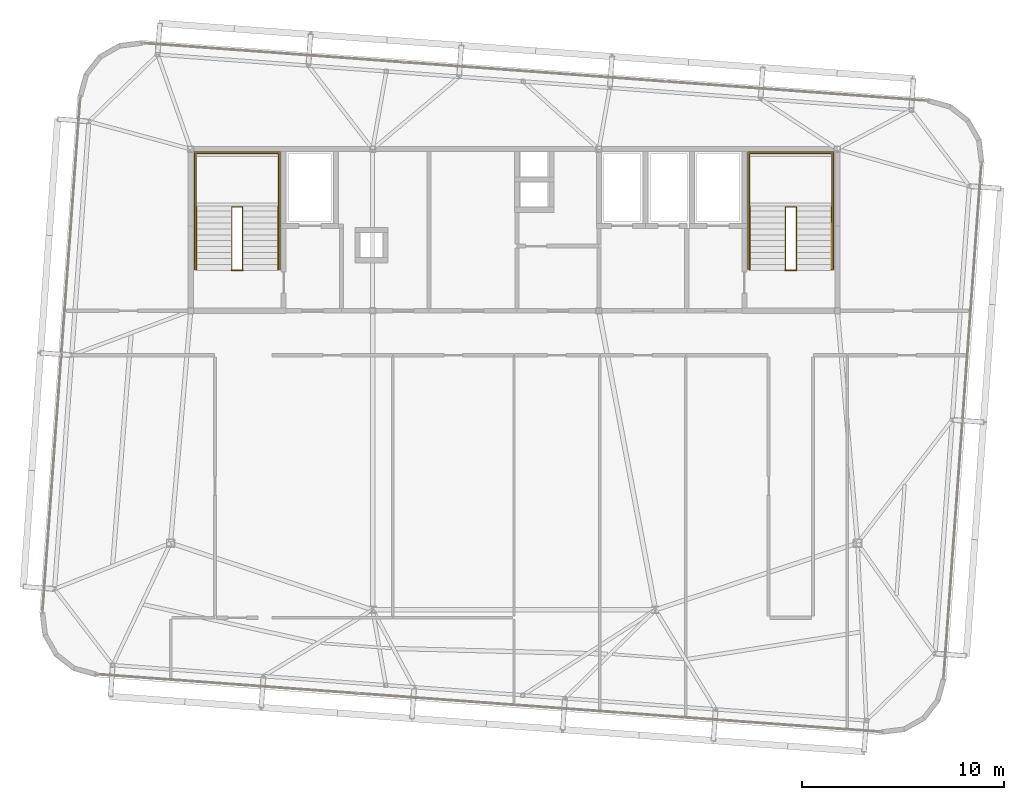
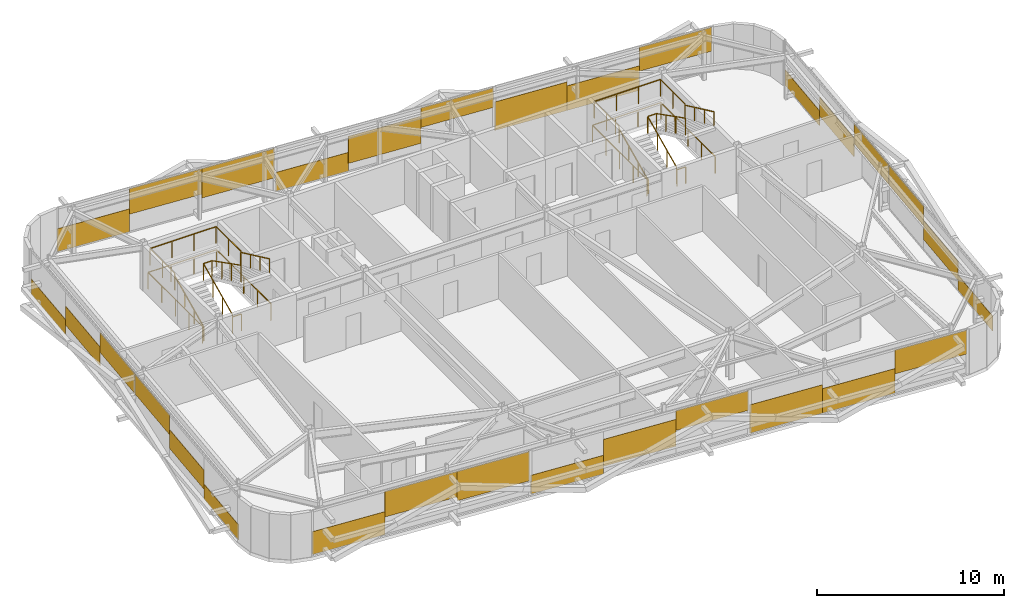
# One storey, part 34 of 34: 30 coverings, 12 railings.
"""IFC4 building model written with IfcOpenShell, lengths in metres."""

from ifc_helpers import new_model, si_unit, direction, frame, origin, origin_2d, place, context, subcontext, project, spatial, rectangle, extrude, source, transform, mapped, material, layer, layer_set, type_object, element, save


model = new_model("IFC4")

# Units and contexts
model_context = context("Model", 3, precision=1e-05, world=origin(), true_north=direction((0.0, 1.0)))
body_context = subcontext(model_context, "Body", "Model", "MODEL_VIEW")
ifc_project = project(units=[si_unit("LENGTHUNIT", "METRE"), si_unit("AREAUNIT", "SQUARE_METRE"), si_unit("VOLUMEUNIT", "CUBIC_METRE"), si_unit("PLANEANGLEUNIT", "RADIAN"), si_unit("MASSUNIT", "GRAM", prefix="KILO")], contexts=[model_context])

# Site, building, storey
site_placement = place(None, origin())
site = spatial("IfcSite", under=ifc_project, at=site_placement, CompositionType="ELEMENT")
building_placement = place(site_placement, origin())
building = spatial("IfcBuilding", under=site, at=building_placement, Name="Taldren Reach Tower", CompositionType="ELEMENT")
storey_placement = place(building_placement, frame((0.0, 0.0, 242.89990234375)))
storey = spatial("IfcBuildingStorey", under=building, at=storey_placement, Name="L74", CompositionType="ELEMENT", Elevation=242.89990234375)

# Railings
ifc_material_1 = material(Name="Steel Gr 350 (C350L0)", Category="steel")
ifc_layer_1 = layer(ifc_material_1, 0.050048828125)
ifc_layer_set_1 = layer_set([ifc_layer_1], Name="Steel Gr 350 (C350L0)")
railing_type_1 = type_object("IfcRailingType", Name="RL-STAIR-GR", PredefinedType="GUARDRAIL", material=ifc_layer_set_1)
railing_1_placement = place(storey_placement, frame((19.260009765625, 29.135009765625, 1.5751953125)))
element("IfcRailing", 1, at=railing_1_placement, inside=storey, type_object=railing_type_1, Name="Stair half-landing perimeter guard ST1-L74", PredefinedType="GUARDRAIL", context=body_context, shape_type="SweptSolid", body=[
    extrude(rectangle(XDim=0.047852, YDim=0.047852, at=origin_2d()), frame((0.0, 0.0, 1.09619140625), z_axis=(0.0, 1.0, 0.0), x_axis=(-1.0, 0.0, 0.0)), (0.0, 0.0, 1.0), 2.64501953125),
    extrude(rectangle(XDim=0.047852, YDim=0.047852, at=origin_2d()), frame((0.0, 2.64501953125, 1.09619140625), z_axis=(1.0, 0.0, 0.0), x_axis=(0.0, 1.0, 0.0)), (0.0, 0.0, 1.0), 4.080078125),
    extrude(rectangle(XDim=0.047852, YDim=0.047852, at=origin_2d()), frame((4.080078125, 2.64501953125, 1.09619140625), z_axis=(0.0, -1.0, 0.0), x_axis=(1.0, 0.0, 0.0)), (0.0, 0.0, 1.0), 2.64501953125),
    extrude(rectangle(XDim=0.041992, YDim=0.041992, at=origin_2d()), origin(), (0.0, 0.0, 1.0), 1.072021484375),
    extrude(rectangle(XDim=0.041992, YDim=0.041992, at=origin_2d()), frame((0.0, 1.322509765625, 0.0)), (0.0, 0.0, 1.0), 1.072021484375),
    extrude(rectangle(XDim=0.041992, YDim=0.041992, at=origin_2d()), frame((0.0, 2.64501953125, 0.0)), (0.0, 0.0, 1.0), 1.072021484375),
    extrude(rectangle(XDim=0.041992, YDim=0.041992, at=origin_2d()), frame((1.360107421875, 2.64501953125, 0.0)), (0.0, 0.0, 1.0), 1.072021484375),
    extrude(rectangle(XDim=0.041992, YDim=0.041992, at=origin_2d()), frame((2.719970703125, 2.64501953125, 0.0)), (0.0, 0.0, 1.0), 1.072021484375),
    extrude(rectangle(XDim=0.041992, YDim=0.041992, at=origin_2d()), frame((4.080078125, 2.64501953125, 0.0)), (0.0, 0.0, 1.0), 1.072021484375),
    extrude(rectangle(XDim=0.041992, YDim=0.041992, at=origin_2d()), frame((4.080078125, 1.322509765625, 0.0)), (0.0, 0.0, 1.0), 1.072021484375),
    extrude(rectangle(XDim=0.041992, YDim=0.041992, at=origin_2d()), frame((4.080078125, 0.0, 0.0)), (0.0, 0.0, 1.0), 1.072021484375),
])
railing_2_placement = place(storey_placement, frame((21.030029296875, 26.050048828125, 0.13134765625)))
element("IfcRailing", 2, at=railing_2_placement, inside=storey, type_object=railing_type_1, Name="Stairwell inner guard ST1-L74", PredefinedType="GUARDRAIL", context=body_context, shape_type="SweptSolid", body=[
    extrude(rectangle(XDim=0.047852, YDim=0.047852, at=origin_2d()), frame((0.0, 0.0, 1.09619140625), z_axis=(0.0, 0.905710134349, 0.423897573167), x_axis=(-1.0, 0.0, 0.0)), (0.0, 0.0, 1.0), 3.406005859375),
    extrude(rectangle(XDim=0.047852, YDim=0.047852, at=origin_2d()), frame((0.0, 3.0849609375, 2.5400390625), z_axis=(1.0, 0.0, 0.0), x_axis=(0.0, 1.0, 0.0)), (0.0, 0.0, 1.0), 0.5400390625),
    extrude(rectangle(XDim=0.047852, YDim=0.047852, at=origin_2d()), frame((0.5400390625, 3.0849609375, 2.5400390625), z_axis=(0.0, -0.890645957773, 0.45469745755), x_axis=(1.0, 0.0, 0.0)), (0.0, 0.0, 1.0), 3.463623046875),
    extrude(rectangle(XDim=0.041992, YDim=0.041992, at=origin_2d()), origin(), (0.0, 0.0, 1.0), 1.072021484375),
    extrude(rectangle(XDim=0.041992, YDim=0.041992, at=origin_2d()), frame((0.0, 1.0283203125, 0.481201171875)), (0.0, 0.0, 1.0), 1.072021484375),
    extrude(rectangle(XDim=0.041992, YDim=0.041992, at=origin_2d()), frame((0.0, 2.056640625, 0.962646484375)), (0.0, 0.0, 1.0), 1.072021484375),
    extrude(rectangle(XDim=0.041992, YDim=0.041992, at=origin_2d()), frame((0.0, 3.0849609375, 1.44384765625)), (0.0, 0.0, 1.0), 1.072021484375),
    extrude(rectangle(XDim=0.041992, YDim=0.041992, at=origin_2d()), frame((0.5400390625, 3.0849609375, 1.44384765625)), (0.0, 0.0, 1.0), 1.072021484375),
    extrude(rectangle(XDim=0.041992, YDim=0.041992, at=origin_2d()), frame((0.5400390625, 2.056640625, 1.96875)), (0.0, 0.0, 1.0), 1.072021484375),
    extrude(rectangle(XDim=0.041992, YDim=0.041992, at=origin_2d()), frame((0.5400390625, 1.0283203125, 2.493896484375)), (0.0, 0.0, 1.0), 1.072021484375),
    extrude(rectangle(XDim=0.041992, YDim=0.041992, at=origin_2d()), frame((0.5400390625, 0.0, 3.018798828125)), (0.0, 0.0, 1.0), 1.072021484375),
])
railing_3_placement = place(storey_placement, frame((21.030029296875, 26.010009765625, 0.0)))
element("IfcRailing", 3, at=railing_3_placement, inside=storey, type_object=railing_type_1, Name="Stairwell landing slot guard ST1-L74", PredefinedType="GUARDRAIL", context=body_context, shape_type="SweptSolid", body=[
    extrude(rectangle(XDim=0.047852, YDim=0.047852, at=origin_2d()), frame((0.0, 0.0, 1.09619140625), z_axis=(1.0, 0.0, 0.0), x_axis=(0.0, 1.0, 0.0)), (0.0, 0.0, 1.0), 0.5400390625),
    extrude(rectangle(XDim=0.041992, YDim=0.041992, at=origin_2d()), origin(), (0.0, 0.0, 1.0), 1.072021484375),
    extrude(rectangle(XDim=0.041992, YDim=0.041992, at=origin_2d()), frame((0.5400390625, 0.0, 0.0)), (0.0, 0.0, 1.0), 1.072021484375),
])
railing_4_placement = place(storey_placement, frame((19.18994140625, 26.050048828125, 0.0)))
element("IfcRailing", 4, at=railing_4_placement, inside=storey, type_object=railing_type_1, Name="Stairwell floor opening guard ST1-L74", PredefinedType="GUARDRAIL", context=body_context, shape_type="SweptSolid", body=[
    extrude(rectangle(XDim=0.047852, YDim=0.047852, at=origin_2d()), frame((0.0, 0.0, 1.09619140625), z_axis=(0.0, 1.0, 0.0), x_axis=(-1.0, 0.0, 0.0)), (0.0, 0.0, 1.0), 5.800048828125),
    extrude(rectangle(XDim=0.047852, YDim=0.047852, at=origin_2d()), frame((0.0, 5.800048828125, 1.09619140625), z_axis=(1.0, 0.0, 0.0), x_axis=(0.0, 1.0, 0.0)), (0.0, 0.0, 1.0), 4.219970703125),
    extrude(rectangle(XDim=0.047852, YDim=0.047852, at=origin_2d()), frame((4.219970703125, 5.800048828125, 1.09619140625), z_axis=(0.0, -1.0, 0.0), x_axis=(1.0, 0.0, 0.0)), (0.0, 0.0, 1.0), 5.800048828125),
    extrude(rectangle(XDim=0.041992, YDim=0.041992, at=origin_2d()), origin(), (0.0, 0.0, 1.0), 1.072021484375),
    extrude(rectangle(XDim=0.041992, YDim=0.041992, at=origin_2d()), frame((0.0, 1.449951171875, 0.0)), (0.0, 0.0, 1.0), 1.072021484375),
    extrude(rectangle(XDim=0.041992, YDim=0.041992, at=origin_2d()), frame((0.0, 2.89990234375, 0.0)), (0.0, 0.0, 1.0), 1.072021484375),
    extrude(rectangle(XDim=0.041992, YDim=0.041992, at=origin_2d()), frame((0.0, 4.35009765625, 0.0)), (0.0, 0.0, 1.0), 1.072021484375),
    extrude(rectangle(XDim=0.041992, YDim=0.041992, at=origin_2d()), frame((0.0, 5.800048828125, 0.0)), (0.0, 0.0, 1.0), 1.072021484375),
    extrude(rectangle(XDim=0.041992, YDim=0.041992, at=origin_2d()), frame((1.40673828125, 5.800048828125, 0.0)), (0.0, 0.0, 1.0), 1.072021484375),
    extrude(rectangle(XDim=0.041992, YDim=0.041992, at=origin_2d()), frame((2.813232421875, 5.800048828125, 0.0)), (0.0, 0.0, 1.0), 1.072021484375),
    extrude(rectangle(XDim=0.041992, YDim=0.041992, at=origin_2d()), frame((4.219970703125, 5.800048828125, 0.0)), (0.0, 0.0, 1.0), 1.072021484375),
    extrude(rectangle(XDim=0.041992, YDim=0.041992, at=origin_2d()), frame((4.219970703125, 4.35009765625, 0.0)), (0.0, 0.0, 1.0), 1.072021484375),
    extrude(rectangle(XDim=0.041992, YDim=0.041992, at=origin_2d()), frame((4.219970703125, 2.89990234375, 0.0)), (0.0, 0.0, 1.0), 1.072021484375),
    extrude(rectangle(XDim=0.041992, YDim=0.041992, at=origin_2d()), frame((4.219970703125, 1.449951171875, 0.0)), (0.0, 0.0, 1.0), 1.072021484375),
    extrude(rectangle(XDim=0.041992, YDim=0.041992, at=origin_2d()), frame((4.219970703125, 0.0, 0.0)), (0.0, 0.0, 1.0), 1.072021484375),
])
railing_5_placement = place(storey_placement, frame((46.659912109375, 29.135009765625, 1.5751953125)))
element("IfcRailing", 5, at=railing_5_placement, inside=storey, type_object=railing_type_1, Name="Stair half-landing perimeter guard ST2-L74", PredefinedType="GUARDRAIL", context=body_context, shape_type="SweptSolid", body=[
    extrude(rectangle(XDim=0.047852, YDim=0.047852, at=origin_2d()), frame((0.0, 0.0, 1.09619140625), z_axis=(0.0, 1.0, 0.0), x_axis=(-1.0, 0.0, 0.0)), (0.0, 0.0, 1.0), 2.64501953125),
    extrude(rectangle(XDim=0.047852, YDim=0.047852, at=origin_2d()), frame((0.0, 2.64501953125, 1.09619140625), z_axis=(1.0, 0.0, 0.0), x_axis=(0.0, 1.0, 0.0)), (0.0, 0.0, 1.0), 4.080078125),
    extrude(rectangle(XDim=0.047852, YDim=0.047852, at=origin_2d()), frame((4.080078125, 2.64501953125, 1.09619140625), z_axis=(0.0, -1.0, 0.0), x_axis=(1.0, 0.0, 0.0)), (0.0, 0.0, 1.0), 2.64501953125),
    extrude(rectangle(XDim=0.041992, YDim=0.041992, at=origin_2d()), origin(), (0.0, 0.0, 1.0), 1.072021484375),
    extrude(rectangle(XDim=0.041992, YDim=0.041992, at=origin_2d()), frame((0.0, 1.322509765625, 0.0)), (0.0, 0.0, 1.0), 1.072021484375),
    extrude(rectangle(XDim=0.041992, YDim=0.041992, at=origin_2d()), frame((0.0, 2.64501953125, 0.0)), (0.0, 0.0, 1.0), 1.072021484375),
    extrude(rectangle(XDim=0.041992, YDim=0.041992, at=origin_2d()), frame((1.360107421875, 2.64501953125, 0.0)), (0.0, 0.0, 1.0), 1.072021484375),
    extrude(rectangle(XDim=0.041992, YDim=0.041992, at=origin_2d()), frame((2.719970703125, 2.64501953125, 0.0)), (0.0, 0.0, 1.0), 1.072021484375),
    extrude(rectangle(XDim=0.041992, YDim=0.041992, at=origin_2d()), frame((4.080078125, 2.64501953125, 0.0)), (0.0, 0.0, 1.0), 1.072021484375),
    extrude(rectangle(XDim=0.041992, YDim=0.041992, at=origin_2d()), frame((4.080078125, 1.322509765625, 0.0)), (0.0, 0.0, 1.0), 1.072021484375),
    extrude(rectangle(XDim=0.041992, YDim=0.041992, at=origin_2d()), frame((4.080078125, 0.0, 0.0)), (0.0, 0.0, 1.0), 1.072021484375),
])
railing_6_placement = place(storey_placement, frame((48.429931640625, 26.050048828125, 0.13134765625)))
element("IfcRailing", 6, at=railing_6_placement, inside=storey, type_object=railing_type_1, Name="Stairwell inner guard ST2-L74", PredefinedType="GUARDRAIL", context=body_context, shape_type="SweptSolid", body=[
    extrude(rectangle(XDim=0.047852, YDim=0.047852, at=origin_2d()), frame((0.0, 0.0, 1.09619140625), z_axis=(0.0, 0.905710134349, 0.423897573167), x_axis=(-1.0, 0.0, 0.0)), (0.0, 0.0, 1.0), 3.406005859375),
    extrude(rectangle(XDim=0.047852, YDim=0.047852, at=origin_2d()), frame((0.0, 3.0849609375, 2.5400390625), z_axis=(1.0, 0.0, 0.0), x_axis=(0.0, 1.0, 0.0)), (0.0, 0.0, 1.0), 0.5400390625),
    extrude(rectangle(XDim=0.047852, YDim=0.047852, at=origin_2d()), frame((0.5400390625, 3.0849609375, 2.5400390625), z_axis=(0.0, -0.890645957773, 0.45469745755), x_axis=(1.0, 0.0, 0.0)), (0.0, 0.0, 1.0), 3.463623046875),
    extrude(rectangle(XDim=0.041992, YDim=0.041992, at=origin_2d()), origin(), (0.0, 0.0, 1.0), 1.072021484375),
    extrude(rectangle(XDim=0.041992, YDim=0.041992, at=origin_2d()), frame((0.0, 1.0283203125, 0.481201171875)), (0.0, 0.0, 1.0), 1.072021484375),
    extrude(rectangle(XDim=0.041992, YDim=0.041992, at=origin_2d()), frame((0.0, 2.056640625, 0.962646484375)), (0.0, 0.0, 1.0), 1.072021484375),
    extrude(rectangle(XDim=0.041992, YDim=0.041992, at=origin_2d()), frame((0.0, 3.0849609375, 1.44384765625)), (0.0, 0.0, 1.0), 1.072021484375),
    extrude(rectangle(XDim=0.041992, YDim=0.041992, at=origin_2d()), frame((0.5400390625, 3.0849609375, 1.44384765625)), (0.0, 0.0, 1.0), 1.072021484375),
    extrude(rectangle(XDim=0.041992, YDim=0.041992, at=origin_2d()), frame((0.5400390625, 2.056640625, 1.96875)), (0.0, 0.0, 1.0), 1.072021484375),
    extrude(rectangle(XDim=0.041992, YDim=0.041992, at=origin_2d()), frame((0.5400390625, 1.0283203125, 2.493896484375)), (0.0, 0.0, 1.0), 1.072021484375),
    extrude(rectangle(XDim=0.041992, YDim=0.041992, at=origin_2d()), frame((0.5400390625, 0.0, 3.018798828125)), (0.0, 0.0, 1.0), 1.072021484375),
])
railing_7_placement = place(storey_placement, frame((48.429931640625, 26.010009765625, 0.0)))
element("IfcRailing", 7, at=railing_7_placement, inside=storey, type_object=railing_type_1, Name="Stairwell landing slot guard ST2-L74", PredefinedType="GUARDRAIL", context=body_context, shape_type="SweptSolid", body=[
    extrude(rectangle(XDim=0.047852, YDim=0.047852, at=origin_2d()), frame((0.0, 0.0, 1.09619140625), z_axis=(1.0, 0.0, 0.0), x_axis=(0.0, 1.0, 0.0)), (0.0, 0.0, 1.0), 0.5400390625),
    extrude(rectangle(XDim=0.041992, YDim=0.041992, at=origin_2d()), origin(), (0.0, 0.0, 1.0), 1.072021484375),
    extrude(rectangle(XDim=0.041992, YDim=0.041992, at=origin_2d()), frame((0.5400390625, 0.0, 0.0)), (0.0, 0.0, 1.0), 1.072021484375),
])
railing_8_placement = place(storey_placement, frame((46.590087890625, 26.050048828125, 0.0)))
element("IfcRailing", 8, at=railing_8_placement, inside=storey, type_object=railing_type_1, Name="Stairwell floor opening guard ST2-L74", PredefinedType="GUARDRAIL", context=body_context, shape_type="SweptSolid", body=[
    extrude(rectangle(XDim=0.047852, YDim=0.047852, at=origin_2d()), frame((0.0, 0.0, 1.09619140625), z_axis=(0.0, 1.0, 0.0), x_axis=(-1.0, 0.0, 0.0)), (0.0, 0.0, 1.0), 5.800048828125),
    extrude(rectangle(XDim=0.047852, YDim=0.047852, at=origin_2d()), frame((0.0, 5.800048828125, 1.09619140625), z_axis=(1.0, 0.0, 0.0), x_axis=(0.0, 1.0, 0.0)), (0.0, 0.0, 1.0), 4.219970703125),
    extrude(rectangle(XDim=0.047852, YDim=0.047852, at=origin_2d()), frame((4.219970703125, 5.800048828125, 1.09619140625), z_axis=(0.0, -1.0, 0.0), x_axis=(1.0, 0.0, 0.0)), (0.0, 0.0, 1.0), 5.800048828125),
    extrude(rectangle(XDim=0.041992, YDim=0.041992, at=origin_2d()), origin(), (0.0, 0.0, 1.0), 1.072021484375),
    extrude(rectangle(XDim=0.041992, YDim=0.041992, at=origin_2d()), frame((0.0, 1.449951171875, 0.0)), (0.0, 0.0, 1.0), 1.072021484375),
    extrude(rectangle(XDim=0.041992, YDim=0.041992, at=origin_2d()), frame((0.0, 2.89990234375, 0.0)), (0.0, 0.0, 1.0), 1.072021484375),
    extrude(rectangle(XDim=0.041992, YDim=0.041992, at=origin_2d()), frame((0.0, 4.35009765625, 0.0)), (0.0, 0.0, 1.0), 1.072021484375),
    extrude(rectangle(XDim=0.041992, YDim=0.041992, at=origin_2d()), frame((0.0, 5.800048828125, 0.0)), (0.0, 0.0, 1.0), 1.072021484375),
    extrude(rectangle(XDim=0.041992, YDim=0.041992, at=origin_2d()), frame((1.40673828125, 5.800048828125, 0.0)), (0.0, 0.0, 1.0), 1.072021484375),
    extrude(rectangle(XDim=0.041992, YDim=0.041992, at=origin_2d()), frame((2.813232421875, 5.800048828125, 0.0)), (0.0, 0.0, 1.0), 1.072021484375),
    extrude(rectangle(XDim=0.041992, YDim=0.041992, at=origin_2d()), frame((4.219970703125, 5.800048828125, 0.0)), (0.0, 0.0, 1.0), 1.072021484375),
    extrude(rectangle(XDim=0.041992, YDim=0.041992, at=origin_2d()), frame((4.219970703125, 4.35009765625, 0.0)), (0.0, 0.0, 1.0), 1.072021484375),
    extrude(rectangle(XDim=0.041992, YDim=0.041992, at=origin_2d()), frame((4.219970703125, 2.89990234375, 0.0)), (0.0, 0.0, 1.0), 1.072021484375),
    extrude(rectangle(XDim=0.041992, YDim=0.041992, at=origin_2d()), frame((4.219970703125, 1.449951171875, 0.0)), (0.0, 0.0, 1.0), 1.072021484375),
    extrude(rectangle(XDim=0.041992, YDim=0.041992, at=origin_2d()), frame((4.219970703125, 0.0, 0.0)), (0.0, 0.0, 1.0), 1.072021484375),
])
ifc_material_2 = material(Name="Stainless Steel Gr 316", Category="steel")
ifc_layer_2 = layer(ifc_material_2, 0.048095703125)
ifc_layer_set_2 = layer_set([ifc_layer_2], Name="Stainless Steel Gr 316")
railing_type_2 = type_object("IfcRailingType", Name="RL-STAIR-HR", PredefinedType="HANDRAIL", material=ifc_layer_set_2)
railing_9_placement = place(storey_placement, frame((19.27001953125, 26.050048828125, 0.13134765625)))
element("IfcRailing", 9, at=railing_9_placement, inside=storey, type_object=railing_type_2, Name="Stair flight handrail ST1-L74-1", PredefinedType="HANDRAIL", context=body_context, shape_type="SweptSolid", body=[
    extrude(rectangle(XDim=0.047852, YDim=0.047852, at=origin_2d()), frame((0.0, 0.0, 0.89599609375), z_axis=(0.0, 0.905710134349, 0.423897573167), x_axis=(-1.0, 0.0, 0.0)), (0.0, 0.0, 1.0), 3.406005859375),
    extrude(rectangle(XDim=0.041992, YDim=0.041992, at=origin_2d()), origin(), (0.0, 0.0, 1.0), 0.871826171875),
    extrude(rectangle(XDim=0.041992, YDim=0.041992, at=origin_2d()), frame((0.0, 1.0283203125, 0.481201171875)), (0.0, 0.0, 1.0), 0.871826171875),
    extrude(rectangle(XDim=0.041992, YDim=0.041992, at=origin_2d()), frame((0.0, 2.056640625, 0.962646484375)), (0.0, 0.0, 1.0), 0.871826171875),
    extrude(rectangle(XDim=0.041992, YDim=0.041992, at=origin_2d()), frame((0.0, 3.0849609375, 1.44384765625)), (0.0, 0.0, 1.0), 0.871826171875),
])
railing_10_placement = place(storey_placement, frame((23.330078125, 29.135009765625, 1.706298828125)))
element("IfcRailing", 10, at=railing_10_placement, inside=storey, type_object=railing_type_2, Name="Stair flight handrail ST1-L74-2", PredefinedType="HANDRAIL", context=body_context, shape_type="SweptSolid", body=[
    extrude(rectangle(XDim=0.047852, YDim=0.047852, at=origin_2d()), frame((0.0, 0.0, 0.89599609375), z_axis=(0.0, -0.905710134349, 0.423897573167), x_axis=(1.0, 0.0, 0.0)), (0.0, 0.0, 1.0), 3.406005859375),
    extrude(rectangle(XDim=0.041992, YDim=0.041992, at=origin_2d()), origin(), (0.0, 0.0, 1.0), 0.871826171875),
    extrude(rectangle(XDim=0.041992, YDim=0.041992, at=origin_2d()), frame((0.0, -1.0283203125, 0.481201171875)), (0.0, 0.0, 1.0), 0.871826171875),
    extrude(rectangle(XDim=0.041992, YDim=0.041992, at=origin_2d()), frame((0.0, -2.056640625, 0.962646484375)), (0.0, 0.0, 1.0), 0.871826171875),
    extrude(rectangle(XDim=0.041992, YDim=0.041992, at=origin_2d()), frame((0.0, -3.0849609375, 1.44384765625)), (0.0, 0.0, 1.0), 0.871826171875),
])
railing_11_placement = place(storey_placement, frame((46.669921875, 26.050048828125, 0.13134765625)))
element("IfcRailing", 11, at=railing_11_placement, inside=storey, type_object=railing_type_2, Name="Stair flight handrail ST2-L74-1", PredefinedType="HANDRAIL", context=body_context, shape_type="SweptSolid", body=[
    extrude(rectangle(XDim=0.047852, YDim=0.047852, at=origin_2d()), frame((0.0, 0.0, 0.89599609375), z_axis=(0.0, 0.905710134349, 0.423897573167), x_axis=(-1.0, 0.0, 0.0)), (0.0, 0.0, 1.0), 3.406005859375),
    extrude(rectangle(XDim=0.041992, YDim=0.041992, at=origin_2d()), origin(), (0.0, 0.0, 1.0), 0.871826171875),
    extrude(rectangle(XDim=0.041992, YDim=0.041992, at=origin_2d()), frame((0.0, 1.0283203125, 0.481201171875)), (0.0, 0.0, 1.0), 0.871826171875),
    extrude(rectangle(XDim=0.041992, YDim=0.041992, at=origin_2d()), frame((0.0, 2.056640625, 0.962646484375)), (0.0, 0.0, 1.0), 0.871826171875),
    extrude(rectangle(XDim=0.041992, YDim=0.041992, at=origin_2d()), frame((0.0, 3.0849609375, 1.44384765625)), (0.0, 0.0, 1.0), 0.871826171875),
])
railing_12_placement = place(storey_placement, frame((50.72998046875, 29.135009765625, 1.706298828125)))
element("IfcRailing", 12, at=railing_12_placement, inside=storey, type_object=railing_type_2, Name="Stair flight handrail ST2-L74-2", PredefinedType="HANDRAIL", context=body_context, shape_type="SweptSolid", body=[
    extrude(rectangle(XDim=0.047852, YDim=0.047852, at=origin_2d()), frame((0.0, 0.0, 0.89599609375), z_axis=(0.0, -0.905710134349, 0.423897573167), x_axis=(1.0, 0.0, 0.0)), (0.0, 0.0, 1.0), 3.406005859375),
    extrude(rectangle(XDim=0.041992, YDim=0.041992, at=origin_2d()), origin(), (0.0, 0.0, 1.0), 0.871826171875),
    extrude(rectangle(XDim=0.041992, YDim=0.041992, at=origin_2d()), frame((0.0, -1.0283203125, 0.481201171875)), (0.0, 0.0, 1.0), 0.871826171875),
    extrude(rectangle(XDim=0.041992, YDim=0.041992, at=origin_2d()), frame((0.0, -2.056640625, 0.962646484375)), (0.0, 0.0, 1.0), 0.871826171875),
    extrude(rectangle(XDim=0.041992, YDim=0.041992, at=origin_2d()), frame((0.0, -3.0849609375, 1.44384765625)), (0.0, 0.0, 1.0), 0.871826171875),
])

# Coverings
ifc_material_3 = material(Name="Pale Champagne Fluoropolymer Aluminium Spandrel Cladding", Category="aluminium")
ifc_layer_3 = layer(ifc_material_3, 0.0439453125)
ifc_layer_set_3 = layer_set([ifc_layer_3], Name="Pale Champagne Fluoropolymer Aluminium Spandrel Cladding")
covering_type = type_object("IfcCoveringType", Name="CV-CLAD-044", PredefinedType="CLADDING", material=ifc_layer_set_3)
shared_shape_1 = source(origin(), body_context, "Body", "SweptSolid", [
    extrude(rectangle(XDim=4.2958984375, YDim=0.0439453125, at=origin_2d()), origin(), (0.0, 0.0, 1.0), 1.495849609375),
])
for number, where, z_axis, x_axis, name in (
    (13, (16.5224609375, 5.847412109375, 0.06005859375), (0.0, 0.0, 1.0), (0.997314476006, -0.073238213716, 0.0), "Diagrid closure cladding strip CW-6 panel 1.1 1"),
    (14, (18.816162109375, 37.083251953125, 0.06005859375), (0.0, 0.0, 1.0), (-0.997314476006, 0.073238213716, 0.0), "Diagrid closure cladding strip CW-6 panel 3.1 3"),
):
    element("IfcCovering", number, at=place(storey_placement, frame(where, z_axis=z_axis, x_axis=x_axis)), inside=storey, type_object=covering_type, Name=name, PredefinedType="CLADDING", context=body_context, shape_type="MappedRepresentation", body=[
        mapped(shared_shape_1, transform((0.0, 0.0, 0.0), scale=1.0)),
    ])
shared_shape_2 = source(origin(), body_context, "Body", "SweptSolid", [
    extrude(rectangle(XDim=4.2958984375, YDim=0.0439453125, at=origin_2d()), origin(), (0.0, 0.0, 1.0), 1.665771484375),
])
for number, where, z_axis, x_axis, name in (
    (15, (20.806640625, 5.53271484375, 1.2041015625), (0.0, 0.0, 1.0), (0.997314476006, -0.073238213716, 0.0), "Diagrid closure cladding strip CW-6 panel 1.1 2"),
    (16, (23.1005859375, 36.7685546875, 1.2041015625), (0.0, 0.0, 1.0), (-0.997314476006, 0.073238213716, 0.0), "Diagrid closure cladding strip CW-6 panel 3.1 2"),
):
    element("IfcCovering", number, at=place(storey_placement, frame(where, z_axis=z_axis, x_axis=x_axis)), inside=storey, type_object=covering_type, Name=name, PredefinedType="CLADDING", context=body_context, shape_type="MappedRepresentation", body=[
        mapped(shared_shape_2, transform((0.0, 0.0, 0.0), scale=1.0)),
    ])
shared_shape_3 = source(origin(), body_context, "Body", "SweptSolid", [
    extrude(rectangle(XDim=4.2958984375, YDim=0.0439453125, at=origin_2d()), origin(), (0.0, 0.0, 1.0), 1.9169921875),
])
for number, where, z_axis, x_axis, name in (
    (17, (25.091064453125, 5.21826171875, 0.953125), (0.0, 0.0, 1.0), (0.997314476006, -0.073238213716, 0.0), "Diagrid closure cladding strip CW-6 panel 1.1 3"),
    (18, (27.384765625, 36.4541015625, 0.953125), (0.0, 0.0, 1.0), (-0.997314476006, 0.073238213716, 0.0), "Diagrid closure cladding strip CW-6 panel 3.1 1"),
):
    element("IfcCovering", number, at=place(storey_placement, frame(where, z_axis=z_axis, x_axis=x_axis)), inside=storey, type_object=covering_type, Name=name, PredefinedType="CLADDING", context=body_context, shape_type="MappedRepresentation", body=[
        mapped(shared_shape_3, transform((0.0, 0.0, 0.0), scale=1.0)),
    ])
shared_shape_4 = source(origin(), body_context, "Body", "SweptSolid", [
    extrude(rectangle(XDim=4.308349609375, YDim=0.0439453125, at=origin_2d()), origin(), (0.0, 0.0, 1.0), 1.22021484375),
])
for number, where, z_axis, x_axis, name in (
    (19, (29.456298828125, 4.897705078125, 0.06005859375), (0.0, 0.0, 1.0), (0.997314476006, -0.073238213716, 0.0), "Diagrid closure cladding strip CW-6 panel 2.1 1"),
    (20, (31.750244140625, 36.133544921875, 0.06005859375), (0.0, 0.0, 1.0), (-0.997314476006, 0.073238213716, 0.0), "Diagrid closure cladding strip CW-6 panel 2.1 3"),
):
    element("IfcCovering", number, at=place(storey_placement, frame(where, z_axis=z_axis, x_axis=x_axis)), inside=storey, type_object=covering_type, Name=name, PredefinedType="CLADDING", context=body_context, shape_type="MappedRepresentation", body=[
        mapped(shared_shape_4, transform((0.0, 0.0, 0.0), scale=1.0)),
    ])
shared_shape_5 = source(origin(), body_context, "Body", "SweptSolid", [
    extrude(rectangle(XDim=4.308349609375, YDim=0.0439453125, at=origin_2d()), origin(), (0.0, 0.0, 1.0), 1.75146484375),
])
for number, where, z_axis, x_axis, name in (
    (21, (33.753173828125, 4.58203125, 0.559326171875), (0.0, 0.0, 1.0), (0.997314476006, -0.073238213716, 0.0), "Diagrid closure cladding strip CW-6 panel 2.1 2"),
    (22, (36.046875, 35.81787109375, 0.559326171875), (0.0, 0.0, 1.0), (-0.997314476006, 0.073238213716, 0.0), "Diagrid closure cladding strip CW-6 panel 2.1 2"),
):
    element("IfcCovering", number, at=place(storey_placement, frame(where, z_axis=z_axis, x_axis=x_axis)), inside=storey, type_object=covering_type, Name=name, PredefinedType="CLADDING", context=body_context, shape_type="MappedRepresentation", body=[
        mapped(shared_shape_5, transform((0.0, 0.0, 0.0), scale=1.0)),
    ])
shared_shape_6 = source(origin(), body_context, "Body", "SweptSolid", [
    extrude(rectangle(XDim=4.308349609375, YDim=0.0439453125, at=origin_2d()), origin(), (0.0, 0.0, 1.0), 1.2802734375),
])
for number, where, z_axis, x_axis, name in (
    (23, (38.0498046875, 4.2666015625, 1.58984375), (0.0, 0.0, 1.0), (0.997314476006, -0.073238213716, 0.0), "Diagrid closure cladding strip CW-6 panel 2.1 3"),
    (24, (40.34375, 35.50244140625, 1.58984375), (0.0, 0.0, 1.0), (-0.997314476006, 0.073238213716, 0.0), "Diagrid closure cladding strip CW-6 panel 2.1 1"),
):
    element("IfcCovering", number, at=place(storey_placement, frame(where, z_axis=z_axis, x_axis=x_axis)), inside=storey, type_object=covering_type, Name=name, PredefinedType="CLADDING", context=body_context, shape_type="MappedRepresentation", body=[
        mapped(shared_shape_6, transform((0.0, 0.0, 0.0), scale=1.0)),
    ])
shared_shape_7 = source(origin(), body_context, "Body", "SweptSolid", [
    extrude(rectangle(XDim=4.2958984375, YDim=0.0439453125, at=origin_2d()), origin(), (0.0, 0.0, 1.0), 1.85693359375),
])
for number, where, z_axis, x_axis, name in (
    (25, (42.415283203125, 3.946044921875, 0.06005859375), (0.0, 0.0, 1.0), (0.997314476006, -0.073238213716, 0.0), "Diagrid closure cladding strip CW-6 panel 3.1 1"),
    (26, (44.708984375, 35.181884765625, 0.06005859375), (0.0, 0.0, 1.0), (-0.997314476006, 0.073238213716, 0.0), "Diagrid closure cladding strip CW-6 panel 1.1 3"),
):
    element("IfcCovering", number, at=place(storey_placement, frame(where, z_axis=z_axis, x_axis=x_axis)), inside=storey, type_object=covering_type, Name=name, PredefinedType="CLADDING", context=body_context, shape_type="MappedRepresentation", body=[
        mapped(shared_shape_7, transform((0.0, 0.0, 0.0), scale=1.0)),
    ])
shared_shape_8 = source(origin(), body_context, "Body", "SweptSolid", [
    extrude(rectangle(XDim=4.2958984375, YDim=0.0439453125, at=origin_2d()), origin(), (0.0, 0.0, 1.0), 1.605712890625),
])
for number, where, z_axis, x_axis, name in (
    (27, (46.699462890625, 3.63134765625, 0.06005859375), (0.0, 0.0, 1.0), (0.997314476006, -0.073238213716, 0.0), "Diagrid closure cladding strip CW-6 panel 3.1 2"),
    (28, (48.993408203125, 34.8671875, 0.06005859375), (0.0, 0.0, 1.0), (-0.997314476006, 0.073238213716, 0.0), "Diagrid closure cladding strip CW-6 panel 1.1 2"),
):
    element("IfcCovering", number, at=place(storey_placement, frame(where, z_axis=z_axis, x_axis=x_axis)), inside=storey, type_object=covering_type, Name=name, PredefinedType="CLADDING", context=body_context, shape_type="MappedRepresentation", body=[
        mapped(shared_shape_8, transform((0.0, 0.0, 0.0), scale=1.0)),
    ])
shared_shape_9 = source(origin(), body_context, "Body", "SweptSolid", [
    extrude(rectangle(XDim=4.2958984375, YDim=0.0439453125, at=origin_2d()), origin(), (0.0, 0.0, 1.0), 1.555908203125),
])
for number, where, z_axis, x_axis, name in (
    (29, (50.98388671875, 3.316650390625, 1.31396484375), (0.0, 0.0, 1.0), (0.997314476006, -0.073238213716, 0.0), "Diagrid closure cladding strip CW-6 panel 3.1 3"),
    (30, (53.277587890625, 34.552490234375, 1.31396484375), (0.0, 0.0, 1.0), (-0.997314476006, 0.073238213716, 0.0), "Diagrid closure cladding strip CW-6 panel 1.1 1"),
):
    element("IfcCovering", number, at=place(storey_placement, frame(where, z_axis=z_axis, x_axis=x_axis)), inside=storey, type_object=covering_type, Name=name, PredefinedType="CLADDING", context=body_context, shape_type="MappedRepresentation", body=[
        mapped(shared_shape_9, transform((0.0, 0.0, 0.0), scale=1.0)),
    ])
shared_shape_10 = source(origin(), body_context, "Body", "SweptSolid", [
    extrude(rectangle(XDim=4.229248046875, YDim=0.0439453125, at=origin_2d()), origin(), (0.0, 0.0, 1.0), 0.981201171875),
])
for number, where, z_axis, x_axis, name in (
    (31, (13.377197265625, 32.41943359375, 0.06005859375), (0.0, 0.0, 1.0), (-0.073238282558, -0.997314470951, 0.0), "Diagrid closure cladding strip CW-6 panel 1.1 1"),
    (32, (11.822998046875, 11.255615234375, 0.06005859375), (0.0, 0.0, 1.0), (-0.073238282558, -0.997314470951, 0.0), "Diagrid closure cladding strip CW-6 panel 2.1 3"),
    (33, (56.4228515625, 7.98046875, 0.06005859375), (0.0, 0.0, 1.0), (0.073238282558, 0.997314470951, 0.0), "Diagrid closure cladding strip CW-6 panel 1.1 1"),
    (34, (57.97705078125, 29.144287109375, 0.06005859375), (0.0, 0.0, 1.0), (0.073238282558, 0.997314470951, 0.0), "Diagrid closure cladding strip CW-6 panel 2.1 3"),
):
    element("IfcCovering", number, at=place(storey_placement, frame(where, z_axis=z_axis, x_axis=x_axis)), inside=storey, type_object=covering_type, Name=name, PredefinedType="CLADDING", context=body_context, shape_type="MappedRepresentation", body=[
        mapped(shared_shape_10, transform((0.0, 0.0, 0.0), scale=1.0)),
    ])
shared_shape_11 = source(origin(), body_context, "Body", "SweptSolid", [
    extrude(rectangle(XDim=4.229248046875, YDim=0.0439453125, at=origin_2d()), origin(), (0.0, 0.0, 1.0), 1.22802734375),
])
for number, where, z_axis, x_axis, name in (
    (35, (13.0673828125, 28.20166015625, 0.69921875), (0.0, 0.0, 1.0), (-0.073238282558, -0.997314470951, 0.0), "Diagrid closure cladding strip CW-6 panel 1.1 2"),
    (36, (12.1328125, 15.473388671875, 0.69921875), (0.0, 0.0, 1.0), (-0.073238282558, -0.997314470951, 0.0), "Diagrid closure cladding strip CW-6 panel 2.1 2"),
    (37, (56.732666015625, 12.1982421875, 0.69921875), (0.0, 0.0, 1.0), (0.073238282558, 0.997314470951, 0.0), "Diagrid closure cladding strip CW-6 panel 1.1 2"),
    (38, (57.667236328125, 24.926513671875, 0.69921875), (0.0, 0.0, 1.0), (0.073238282558, 0.997314470951, 0.0), "Diagrid closure cladding strip CW-6 panel 2.1 2"),
):
    element("IfcCovering", number, at=place(storey_placement, frame(where, z_axis=z_axis, x_axis=x_axis)), inside=storey, type_object=covering_type, Name=name, PredefinedType="CLADDING", context=body_context, shape_type="MappedRepresentation", body=[
        mapped(shared_shape_11, transform((0.0, 0.0, 0.0), scale=1.0)),
    ])
shared_shape_12 = source(origin(), body_context, "Body", "SweptSolid", [
    extrude(rectangle(XDim=4.229248046875, YDim=0.0439453125, at=origin_2d()), origin(), (0.0, 0.0, 1.0), 1.284912109375),
])
for number, where, z_axis, x_axis, name in (
    (39, (12.757568359375, 23.98388671875, 1.58544921875), (0.0, 0.0, 1.0), (-0.073238282558, -0.997314470951, 0.0), "Diagrid closure cladding strip CW-6 panel 1.1 3"),
    (40, (12.4423828125, 19.69140625, 1.58544921875), (0.0, 0.0, 1.0), (-0.073238282558, -0.997314470951, 0.0), "Diagrid closure cladding strip CW-6 panel 2.1 1"),
    (41, (57.042236328125, 16.416015625, 1.58544921875), (0.0, 0.0, 1.0), (0.073238282558, 0.997314470951, 0.0), "Diagrid closure cladding strip CW-6 panel 1.1 3"),
    (42, (57.357666015625, 20.708740234375, 1.58544921875), (0.0, 0.0, 1.0), (0.073238282558, 0.997314470951, 0.0), "Diagrid closure cladding strip CW-6 panel 2.1 1"),
):
    element("IfcCovering", number, at=place(storey_placement, frame(where, z_axis=z_axis, x_axis=x_axis)), inside=storey, type_object=covering_type, Name=name, PredefinedType="CLADDING", context=body_context, shape_type="MappedRepresentation", body=[
        mapped(shared_shape_12, transform((0.0, 0.0, 0.0), scale=1.0)),
    ])

save(model, "model.ifc")
